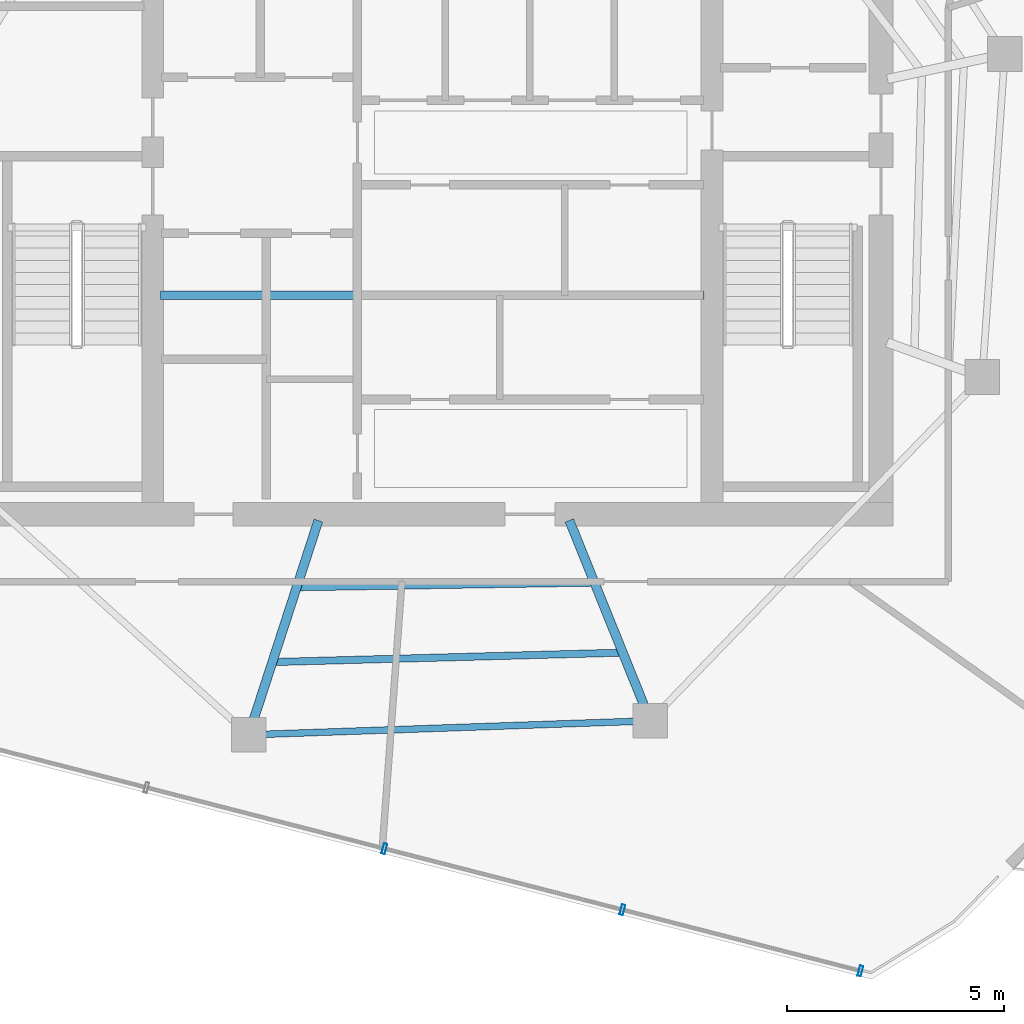
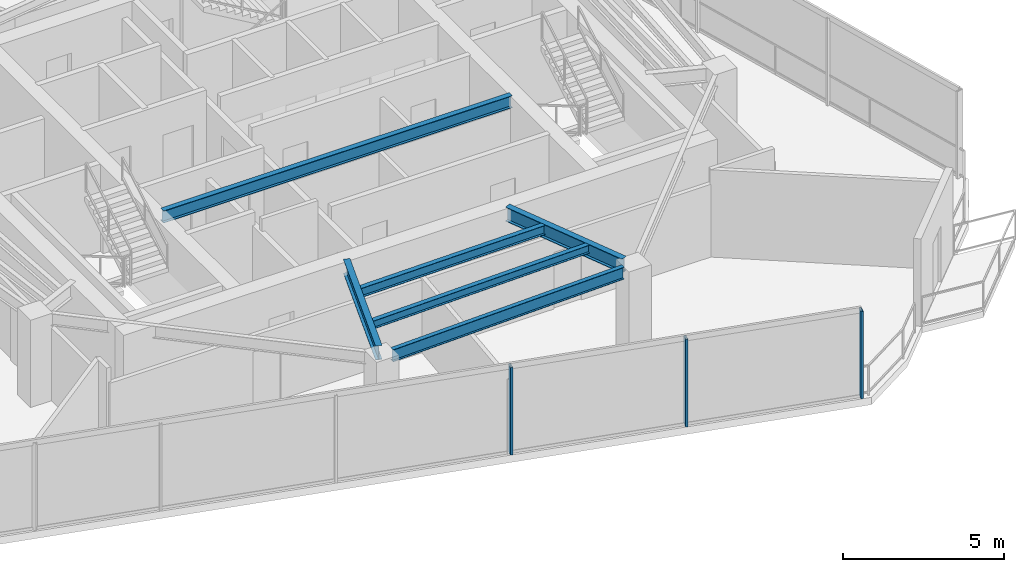
# One storey, part 4 of 18: 6 beams, 3 members, 1 element without a shape of its own.
"""IFC4 building model written with IfcOpenShell, lengths in metres."""

from ifc_helpers import new_model, si_unit, direction, frame, origin, origin_2d, place, context, subcontext, project, spatial, hollow_rectangle, i_section, extrude, material, layer, layer_set, material_profile, profile_set, type_object, element, aggregate, save


model = new_model("IFC4")

# Units and contexts
model_context = context("Model", 3, precision=1e-05, world=origin(), true_north=direction((0.0, 1.0)))
body_context = subcontext(model_context, "Body", "Model", "MODEL_VIEW")
ifc_project = project(units=[si_unit("LENGTHUNIT", "METRE"), si_unit("AREAUNIT", "SQUARE_METRE"), si_unit("VOLUMEUNIT", "CUBIC_METRE"), si_unit("PLANEANGLEUNIT", "RADIAN"), si_unit("MASSUNIT", "GRAM", prefix="KILO")], contexts=[model_context])

# Site, building, storey
site_placement = place(None, origin())
site = spatial("IfcSite", under=ifc_project, at=site_placement, CompositionType="ELEMENT")
building_placement = place(site_placement, origin())
building = spatial("IfcBuilding", under=site, at=building_placement, Name="Qarnah Convention Tower", CompositionType="ELEMENT")
storey_placement = place(building_placement, frame((0.0, 0.0, 239.10009765625)))
storey = spatial("IfcBuildingStorey", under=building, at=storey_placement, Name="L64", CompositionType="ELEMENT", Elevation=239.10009765625)

# Beams
ifc_material_1 = material(Name="Structural steel S355JR", Category="steel")
ifc_material_profile_1 = material_profile(ifc_material_1, i_section(OverallWidth=0.19189453125, OverallDepth=0.464111328125, WebThickness=0.010986328125, FlangeThickness=0.01806640625, at=origin_2d()), Name="W460X89")
ifc_profile_set_1 = profile_set([ifc_material_profile_1], Name="Structural steel S355JR")
beam_type_1 = type_object("IfcBeamType", Name="BM-CANT-W460A", PredefinedType="BEAM", material=ifc_profile_set_1)
beam_1_placement = place(storey_placement, frame((30.97998046875, 23.64990234375, 3.087890625), z_axis=(1.0, 0.0, 0.0), x_axis=(0.0, 1.0, 0.0)))
element("IfcBeam", 1, at=beam_1_placement, inside=storey, type_object=beam_type_1, Name="L64 beam BM-L64-KC1", PredefinedType="BEAM", context=body_context, shape_type="SweptSolid", body=[
    extrude(i_section(OverallWidth=0.19189453125, OverallDepth=0.464111328125, WebThickness=0.010986328125, FlangeThickness=0.01806640625, at=origin_2d()), origin(), (0.0, 0.0, 1.0), 12.5400390625),
])
ifc_material_profile_2 = material_profile(ifc_material_1, i_section(OverallWidth=0.166015625, OverallDepth=0.31201171875, WebThickness=0.007080078125, FlangeThickness=0.010986328125, at=origin_2d()), Name="W310X45")
ifc_profile_set_2 = profile_set([ifc_material_profile_2], Name="Structural steel S355JR")
beam_type_2 = type_object("IfcBeamType", Name="BM-JST-W310", PredefinedType="JOIST", material=ifc_profile_set_2)
beam_2_placement = place(storey_placement, frame((33.64794921875, 15.194091796875, 3.163818359375), z_axis=(0.999637377736, 0.026927922937, 0.0), x_axis=(-0.026927922937, 0.999637377736, 0.0)))
element("IfcBeam", 2, at=beam_2_placement, inside=storey, type_object=beam_type_2, Name="L64 joist BM-L64-SJST-07", PredefinedType="JOIST", context=body_context, shape_type="SweptSolid", body=[
    extrude(i_section(OverallWidth=0.166015625, OverallDepth=0.31201171875, WebThickness=0.007080078125, FlangeThickness=0.010986328125, at=origin_2d()), origin(), (0.0, 0.0, 1.0), 7.906005859375),
])
ifc_material_profile_3 = material_profile(ifc_material_1, i_section(OverallWidth=0.172119140625, OverallDepth=0.35595703125, WebThickness=0.007080078125, FlangeThickness=0.011962890625, at=origin_2d()), Name="W360X51")
ifc_profile_set_3 = profile_set([ifc_material_profile_3], Name="Structural steel S355JR")
beam_type_3 = type_object("IfcBeamType", Name="BM-JST-W360", PredefinedType="JOIST", material=ifc_profile_set_3)
beam_3_placement = place(storey_placement, frame((34.2109375, 16.922119140625, 3.141845703125), z_axis=(0.99987675497, 0.015699518171, 0.0), x_axis=(-0.015699518171, 0.99987675497, 0.0)))
element("IfcBeam", 3, at=beam_3_placement, inside=storey, type_object=beam_type_3, Name="L64 joist BM-L64-IJST-07", PredefinedType="JOIST", context=body_context, shape_type="SweptSolid", body=[
    extrude(i_section(OverallWidth=0.172119140625, OverallDepth=0.35595703125, WebThickness=0.007080078125, FlangeThickness=0.011962890625, at=origin_2d()), origin(), (0.0, 0.0, 1.0), 6.686767578125),
])
ifc_material_profile_4 = material_profile(ifc_material_1, i_section(OverallWidth=0.2119140625, OverallDepth=0.5400390625, WebThickness=0.011962890625, FlangeThickness=0.01904296875, at=origin_2d()), Name="W530X109")
ifc_profile_set_4 = profile_set([ifc_material_profile_4], Name="Structural steel S355JR")
beam_type_4 = type_object("IfcBeamType", Name="BM-RAD-W530A", PredefinedType="BEAM", material=ifc_profile_set_4)
beam_4_placement = place(storey_placement, frame((34.6201171875, 18.45703125, 3.0498046875), z_axis=(-0.309228111383, -0.950987894313, 0.0), x_axis=(0.950987894313, -0.309228111383, 0.0)))
element("IfcBeam", 4, at=beam_4_placement, inside=storey, type_object=beam_type_4, Name="L64 beam BM-L64-RAD-07", PredefinedType="BEAM", context=body_context, shape_type="SweptSolid", body=[
    extrude(i_section(OverallWidth=0.2119140625, OverallDepth=0.5400390625, WebThickness=0.011962890625, FlangeThickness=0.01904296875, at=origin_2d()), origin(), (0.0, 0.0, 1.0), 4.819091796875),
])
beam_5_placement = place(storey_placement, frame((40.407958984375, 18.4609375, 3.0498046875), z_axis=(0.374622495532, -0.927177429536, 0.0), x_axis=(0.927177429536, 0.374622495532, 0.0)))
element("IfcBeam", 5, at=beam_5_placement, inside=storey, type_object=beam_type_4, Name="L64 beam BM-L64-RAD-08", PredefinedType="BEAM", context=body_context, shape_type="SweptSolid", body=[
    extrude(i_section(OverallWidth=0.2119140625, OverallDepth=0.5400390625, WebThickness=0.011962890625, FlangeThickness=0.01904296875, at=origin_2d()), origin(), (0.0, 0.0, 1.0), 4.607421875),
])
ifc_material_profile_5 = material_profile(ifc_material_1, i_section(OverallWidth=0.154052734375, OverallDepth=0.4599609375, WebThickness=0.009033203125, FlangeThickness=0.014892578125, at=origin_2d()), Name="W460X68")
ifc_profile_set_5 = profile_set([ifc_material_profile_5], Name="Structural steel S355JR")
beam_type_5 = type_object("IfcBeamType", Name="BM-SPN-W460B", PredefinedType="SPANDREL", material=ifc_profile_set_5)
beam_6_placement = place(storey_placement, frame((33.403076171875, 13.527099609375, 3.08984375), z_axis=(0.999392187652, 0.034860511467, 0.0), x_axis=(-0.034860511467, 0.999392187652, 0.0)))
element("IfcBeam", 6, at=beam_6_placement, inside=storey, type_object=beam_type_5, Name="L64 spandrel BM-L64-SPN-07", PredefinedType="SPANDREL", context=body_context, shape_type="SweptSolid", body=[
    extrude(i_section(OverallWidth=0.154052734375, OverallDepth=0.4599609375, WebThickness=0.009033203125, FlangeThickness=0.014892578125, at=origin_2d()), origin(), (0.0, 0.0, 1.0), 8.488037109375),
])

# Curtain wall, members
ifc_material_2 = material(Name="Tempered Low-E dark glass", Category="glass")
ifc_layer = layer(ifc_material_2, 0.176025390625)
ifc_layer_set = layer_set([ifc_layer], Name="Tempered Low-E dark glass")
curtain_wall_type = type_object("IfcCurtainWallType", Name="CWS-05", PredefinedType="NOTDEFINED", material=ifc_layer_set)
curtain_wall_placement = place(storey_placement, origin())
curtain_wall = element("IfcCurtainWall", 7, at=curtain_wall_placement, inside=storey, type_object=curtain_wall_type, Name="L64 unitised curtain wall CW-L64-F2", PredefinedType="NOTDEFINED")
ifc_material_3 = material(Name="Black anodised aluminium", Category="aluminium")
ifc_material_profile_6 = material_profile(ifc_material_3, hollow_rectangle(XDim=0.080078125, YDim=0.239990234375, WallThickness=0.0048828125, at=origin_2d()), Name="MUL-80X240")
ifc_profile_set_6 = profile_set([ifc_material_profile_6], Name="Black anodised aluminium")
member_type = type_object("IfcMemberType", Name="MUL-T5", PredefinedType="MULLION", material=ifc_profile_set_6)
member_1_placement = place(storey_placement, frame((47.1240234375, 8.068115234375, 0.0), z_axis=(0.0, 0.0, 1.0), x_axis=(-0.968578703323, 0.248707248524, 0.0)))
member_1 = element("IfcMember", 8, at=member_1_placement, type_object=member_type, Name="CW-L64-F2 mullion 1", PredefinedType="MULLION", context=body_context, shape_type="SweptSolid", body=[
    extrude(hollow_rectangle(XDim=0.080078125, YDim=0.239990234375, WallThickness=0.0048828125, at=origin_2d()), origin(), (0.0, 0.0, 1.0), 3.31982421875),
])
member_2_placement = place(storey_placement, frame((41.633544921875, 9.477783203125, 0.0), z_axis=(0.0, 0.0, 1.0), x_axis=(-0.968578703323, 0.248707248524, 0.0)))
member_2 = element("IfcMember", 9, at=member_2_placement, type_object=member_type, Name="CW-L64-F2 mullion 2", PredefinedType="MULLION", context=body_context, shape_type="SweptSolid", body=[
    extrude(hollow_rectangle(XDim=0.080078125, YDim=0.239990234375, WallThickness=0.0048828125, at=origin_2d()), origin(), (0.0, 0.0, 1.0), 3.31982421875),
])
member_3_placement = place(storey_placement, frame((36.143310546875, 10.8876953125, 0.0), z_axis=(0.0, 0.0, 1.0), x_axis=(-0.968578703323, 0.248707248524, 0.0)))
member_3 = element("IfcMember", 10, at=member_3_placement, type_object=member_type, Name="CW-L64-F2 mullion 3", PredefinedType="MULLION", context=body_context, shape_type="SweptSolid", body=[
    extrude(hollow_rectangle(XDim=0.080078125, YDim=0.239990234375, WallThickness=0.0048828125, at=origin_2d()), origin(), (0.0, 0.0, 1.0), 3.31982421875),
])
aggregate(curtain_wall, [member_1, member_2, member_3])

save(model, "model.ifc")
